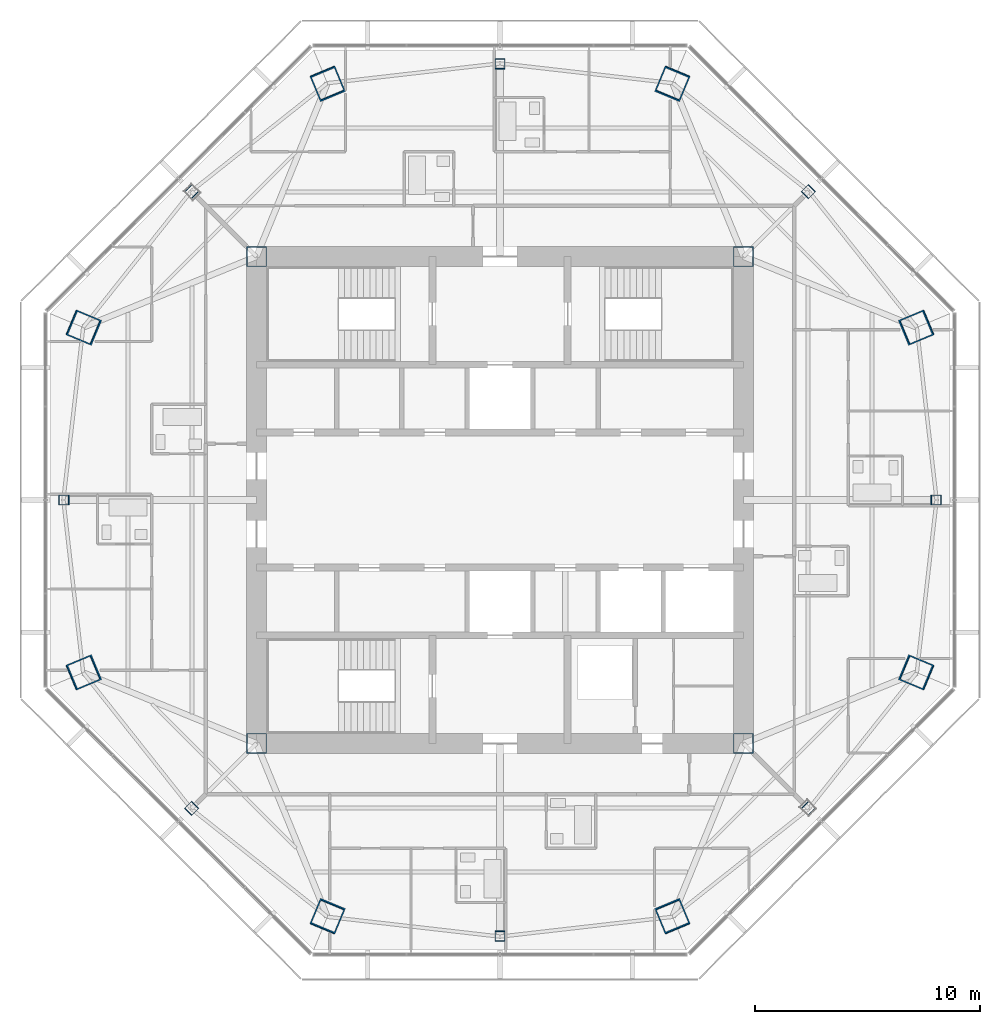
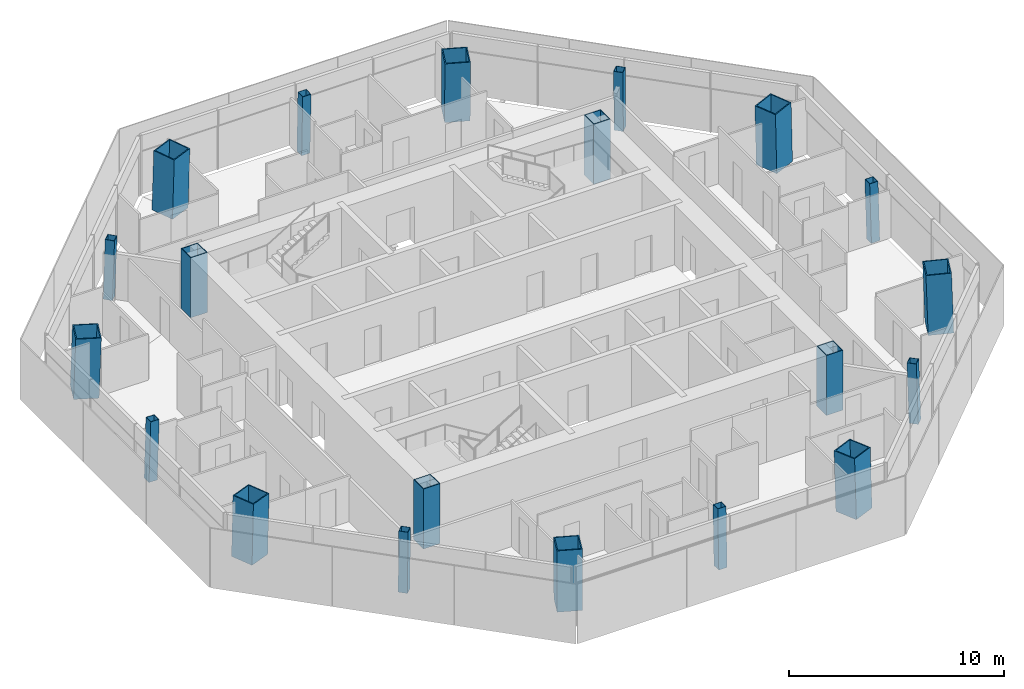
# One storey, part 1 of 15: 20 columns.
"""IFC4 building model written with IfcOpenShell, lengths in metres."""

import ifcopenshell
import ifcopenshell.guid

model = None  # the IFC model being written
_history = None  # IfcOwnerHistory: only IFC2X3 demands one
_inside = {}  # id of a spatial element -> (the spatial element, [elements in it])
_under = {}  # id of a project, library or spatial element -> (it, [spatial elements below it])
_declared = {}  # id of a project -> (the project, [libraries it declares])
_typed = {}  # id of a type object -> (the type object, [elements of that type])
_made_of = {}  # id of a material, layer set ... -> (it, [elements and type objects made of it])


def new_model(schema):
    """Start an empty IFC model of exactly this schema.

    Asked for "IFC4X3", IfcOpenShell would pick the latest addendum, in which some entities
    have other attributes; the version numbers below select the first issue.
    IFC2X3 requires an IfcOwnerHistory on every rooted entity: one is made here for all.
    """
    global model, _history
    if schema == "IFC4X3":
        model = ifcopenshell.file(schema_version=(4, 3, 0, 0))
    else:
        model = ifcopenshell.file(schema=schema)
    _inside.clear()
    _under.clear()
    _declared.clear()
    _typed.clear()
    _made_of.clear()
    _history = None
    if model.schema == "IFC2X3":
        org = make("IfcOrganization", Name="unknown")
        user = make(
            "IfcPersonAndOrganization",
            ThePerson=make("IfcPerson", FamilyName="unknown"),
            TheOrganization=org,
        )
        app = make(
            "IfcApplication",
            ApplicationDeveloper=org,
            Version="unknown",
            ApplicationFullName="unknown",
            ApplicationIdentifier="unknown",
        )
        _history = make(
            "IfcOwnerHistory",
            OwningUser=user,
            OwningApplication=app,
            ChangeAction="ADDED",
            CreationDate=0,
        )
    return model


def make(cls, **values):
    """One entity of the class cls with the attributes given. An attribute that is None is left unset."""
    return model.create_entity(
        cls, **{name: value for name, value in values.items() if value is not None}
    )


def rooted(cls, **values):
    """An entity with a GlobalId (a new one), such as an element, a storey or a relation."""
    return make(cls, GlobalId=ifcopenshell.guid.new(), OwnerHistory=_history, **values)


def si_unit(unit_type, name, prefix=None):
    """IfcSIUnit, for example si_unit("LENGTHUNIT", "METRE", prefix="MILLI")."""
    return make("IfcSIUnit", UnitType=unit_type, Prefix=prefix, Name=name)


def assignment(units):
    """IfcUnitAssignment: the units of a project."""
    return None if units is None else make("IfcUnitAssignment", Units=units)


def point(xyz):
    """IfcCartesianPoint."""
    return None if xyz is None else make("IfcCartesianPoint", Coordinates=xyz)


def direction(xyz):
    """IfcDirection."""
    return None if xyz is None else make("IfcDirection", DirectionRatios=xyz)


def frame(location, z_axis=None, x_axis=None):
    """IfcAxis2Placement3D, a coordinate frame: its origin and axes. An axis left out is left unset."""
    return make(
        "IfcAxis2Placement3D",
        Location=point(location),
        Axis=direction(z_axis),
        RefDirection=direction(x_axis),
    )


def frame_2d(location, x_axis=None):
    """IfcAxis2Placement2D, a coordinate frame in the plane: its origin and x axis."""
    return make(
        "IfcAxis2Placement2D", Location=point(location), RefDirection=direction(x_axis)
    )


def origin():
    """The frame at (0, 0, 0) with its axes left unset."""
    return frame((0.0, 0.0, 0.0))


def origin_2d():
    """The frame at (0, 0) in the plane with its x axis left unset."""
    return frame_2d((0.0, 0.0))


def place(relative_to, where):
    """IfcLocalPlacement: puts the frame where relative to a parent placement (None: the world)."""
    return make(
        "IfcLocalPlacement", PlacementRelTo=relative_to, RelativePlacement=where
    )


def context(
    kind, dimensions, precision=None, world=None, true_north=None, identifier=None
):
    """IfcGeometricRepresentationContext, for example the 3D "Model" context."""
    return make(
        "IfcGeometricRepresentationContext",
        ContextIdentifier=identifier,
        ContextType=kind,
        CoordinateSpaceDimension=dimensions,
        Precision=precision,
        WorldCoordinateSystem=world,
        TrueNorth=true_north,
    )


def subcontext(parent, identifier, kind, view, scale=None):
    """IfcGeometricRepresentationSubContext, for example "Body" below "Model"."""
    return make(
        "IfcGeometricRepresentationSubContext",
        ContextIdentifier=identifier,
        ContextType=kind,
        ParentContext=parent,
        TargetScale=scale,
        TargetView=view,
    )


def project(units=None, contexts=None):
    """IfcProject with its units and contexts."""
    return rooted(
        "IfcProject",
        Name="project",
        RepresentationContexts=contexts,
        UnitsInContext=assignment(units),
    )


def spatial(cls, under=None, at=None, **own):
    """A site, building, storey or space (cls), placed at a placement, below another one or the project."""
    s = rooted(cls, ObjectPlacement=at, **own)
    if under is not None:
        _under.setdefault(under.id(), (under, []))[1].append(s)
    return s


def profile(cls, at=None, kind="AREA", **sizes):
    """A parametric profile (cls). Its sizes go by their IFC names, for example OverallWidth=200.0."""
    return make(cls, ProfileType=kind, Position=at, **sizes)


def hollow_rectangle(**sizes):
    """IfcRectangleHollowProfileDef."""
    return profile("IfcRectangleHollowProfileDef", **sizes)


def extrude(swept, where, along, depth):
    """IfcExtrudedAreaSolid: the profile swept, set in the frame where, extruded along a direction by depth."""
    return make(
        "IfcExtrudedAreaSolid",
        SweptArea=swept,
        Position=where,
        ExtrudedDirection=direction(along),
        Depth=depth,
    )


def shape(context_of_items, identifier, shape_type, items):
    """IfcShapeRepresentation: the items that make up one representation, for example the "Body"."""
    return make(
        "IfcShapeRepresentation",
        ContextOfItems=context_of_items,
        RepresentationIdentifier=identifier,
        RepresentationType=shape_type,
        Items=items,
    )


def material(Name=None, Category=None):
    """IfcMaterial."""
    return make("IfcMaterial", Name=Name, Category=Category)


def material_profile(
    of_material, cross_section, Name=None, Category=None, Priority=None
):
    """IfcMaterialProfile: a cross section and its material."""
    return make(
        "IfcMaterialProfile",
        Name=Name,
        Material=of_material,
        Profile=cross_section,
        Priority=Priority,
        Category=Category,
    )


def profile_set(profiles, Name=None, composite=None):
    """IfcMaterialProfileSet."""
    return make(
        "IfcMaterialProfileSet",
        Name=Name,
        MaterialProfiles=profiles,
        CompositeProfile=composite,
    )


def made_of(thing, what):
    """Note that an element or type object is made of a material, layer set ...; save() writes the relation."""
    if what is not None:
        _made_of.setdefault(what.id(), (what, []))[1].append(thing)
    return thing


def type_object(cls, material=None, **own):
    """A type object (cls), such as IfcWallType, which elements share."""
    return made_of(rooted(cls, **own), material)


def element(
    cls,
    number,
    at=None,
    inside=None,
    cuts=None,
    type_object=None,
    material=None,
    context=None,
    identifier="Body",
    shape_type=None,
    held_by="IfcProductDefinitionShape",
    body=None,
    shapes=None,
    **own,
):
    """One element of the class cls, such as IfcWall. Its Tag is "e" and its number.

    at: its placement. inside: the storey or other place that contains it. cuts: it is an
    opening in that element (IfcRelVoidsElement). A single representation is given by context,
    identifier, shape_type and body (its items); several are given by shapes. held_by: the class
    of the entity that holds the representations. save() writes the other relations.
    """
    e = rooted(cls, Tag="e%d" % number, ObjectPlacement=at, **own)
    if body is not None:
        shapes = [shape(context, identifier, shape_type, body)]
    if shapes is not None:
        e.Representation = make(held_by, Representations=shapes)
    if inside is not None:
        _inside.setdefault(inside.id(), (inside, []))[1].append(e)
    if cuts is not None:
        rooted(
            "IfcRelVoidsElement", RelatingBuildingElement=cuts, RelatedOpeningElement=e
        )
    if type_object is not None:
        _typed.setdefault(type_object.id(), (type_object, []))[1].append(e)
    return made_of(e, material)


def aggregate(whole, parts):
    """IfcRelAggregates: a whole, such as a stair, and the parts it consists of."""
    return rooted("IfcRelAggregates", RelatingObject=whole, RelatedObjects=parts)


def save(model, path):
    """Write the relations noted so far, then the file.

    IfcRelAggregates (storeys below a building ...), IfcRelContainedInSpatialStructure (elements
    in a storey), IfcRelDefinesByType, IfcRelAssociatesMaterial and IfcRelDeclares: one each for
    every whole, place, type object, material and project.
    """
    for whole, parts in _under.values():
        aggregate(whole, parts)
    for where, things in _inside.values():
        rooted(
            "IfcRelContainedInSpatialStructure",
            RelatedElements=things,
            RelatingStructure=where,
        )
    for kind, things in _typed.values():
        rooted("IfcRelDefinesByType", RelatedObjects=things, RelatingType=kind)
    for what, things in _made_of.values():
        rooted("IfcRelAssociatesMaterial", RelatedObjects=things, RelatingMaterial=what)
    for by, libraries in _declared.values():
        rooted("IfcRelDeclares", RelatingContext=by, RelatedDefinitions=libraries)
    model.write(path)


model = new_model("IFC4")

# Units and contexts
model_context = context("Model", 3, precision=1e-05, world=origin(), true_north=direction((0.0, 1.0)))
body_context = subcontext(model_context, "Body", "Model", "MODEL_VIEW")
ifc_project = project(units=[si_unit("LENGTHUNIT", "METRE"), si_unit("AREAUNIT", "SQUARE_METRE"), si_unit("VOLUMEUNIT", "CUBIC_METRE"), si_unit("PLANEANGLEUNIT", "RADIAN"), si_unit("MASSUNIT", "GRAM", prefix="KILO")], contexts=[model_context])

# Site, building, storey
site_placement = place(None, origin())
site = spatial("IfcSite", under=ifc_project, at=site_placement, CompositionType="ELEMENT")
building_placement = place(site_placement, origin())
building = spatial("IfcBuilding", under=site, at=building_placement, Name="Mashrafa Tower", CompositionType="ELEMENT")
storey_placement = place(building_placement, frame((0.0, 0.0, 277.60009765625)))
storey = spatial("IfcBuildingStorey", under=building, at=storey_placement, Name="L67", CompositionType="ELEMENT", Elevation=277.60009765625)

# Columns
ifc_material_1 = material(Name="Steel ASTM A572 Gr 50", Category="steel")
ifc_material_profile_1 = material_profile(ifc_material_1, hollow_rectangle(XDim=0.89990234375, YDim=0.89990234375, WallThickness=0.0400390625, at=origin_2d()), Name="BOX900X900X40")
ifc_profile_set_1 = profile_set([ifc_material_profile_1], Name="Steel ASTM A572 Gr 50")
column_type_1 = type_object("IfcColumnType", Name="Core corner column BOX900X900X40", PredefinedType="COLUMN", material=ifc_profile_set_1)
for number, where, z_axis, x_axis, name in (
    (1, (10.800048828125, 10.800048828125, 0.0), (0.0, 0.0, 1.0), (1.0, 0.0, 0.0), "Core corner column CC-NE L67"),
    (2, (-10.800048828125, 10.800048828125, 0.0), (0.0, 0.0, 1.0), (1.0, 0.0, 0.0), "Core corner column CC-NW L67"),
    (3, (-10.800048828125, -10.800048828125, 0.0), (0.0, 0.0, 1.0), (1.0, 0.0, 0.0), "Core corner column CC-SW L67"),
    (4, (10.800048828125, -10.800048828125, 0.0), (0.0, 0.0, 1.0), (1.0, 0.0, 0.0), "Core corner column CC-SE L67"),
):
    element("IfcColumn", number, at=place(storey_placement, frame(where, z_axis=z_axis, x_axis=x_axis)), inside=storey, type_object=column_type_1, Name=name, PredefinedType="COLUMN", context=body_context, shape_type="SweptSolid", body=[
        extrude(hollow_rectangle(XDim=0.89990234375, YDim=0.89990234375, WallThickness=0.0400390625, at=origin_2d()), origin(), (0.0, 0.0, 1.0), 3.39990234375),
    ])
ifc_material_2 = material(Name="Steel ASTM A572 Gr 50", Category="steel")
ifc_material_profile_2 = material_profile(ifc_material_2, hollow_rectangle(XDim=1.199951171875, YDim=1.199951171875, WallThickness=0.054931640625, at=origin_2d()), Name="BOX1200X1200X55")
ifc_profile_set_2 = profile_set([ifc_material_profile_2], Name="Steel ASTM A572 Gr 50")
column_type_2 = type_object("IfcColumnType", Name="Mega column CFST BOX1200X1200X55", PredefinedType="COLUMN", material=ifc_profile_set_2)
for number, where, z_axis, x_axis, name in (
    (5, (18.483642578125, 7.65625, 0.0), (-0.028279126691, -0.011771007049, 0.999530757099), (0.3842825994, -0.923215513192, 0.0), "Mega column MC1 L67"),
    (6, (7.65625, 18.483642578125, 0.0), (-0.011771007049, -0.028279126691, 0.999530757099), (0.923215513192, -0.3842825994, 0.0), "Mega column MC2 L67"),
    (7, (-7.65625, 18.483642578125, 0.0), (0.011771007049, -0.028279126691, 0.999530757099), (0.923215513192, 0.3842825994, 0.0), "Mega column MC3 L67"),
    (8, (-18.483642578125, 7.65625, 0.0), (0.028279126691, -0.011771007049, 0.999530757099), (0.3842825994, 0.923215513192, 0.0), "Mega column MC4 L67"),
    (9, (-18.483642578125, -7.65625, 0.0), (0.028279126691, 0.011771007049, 0.999530757099), (-0.3842825994, 0.923215513192, 0.0), "Mega column MC5 L67"),
    (10, (-7.65625, -18.483642578125, 0.0), (0.011771007049, 0.028279126691, 0.999530757099), (-0.923215513192, 0.3842825994, 0.0), "Mega column MC6 L67"),
    (11, (7.65625, -18.483642578125, 0.0), (-0.011771007049, 0.028279126691, 0.999530757099), (-0.923215513192, -0.3842825994, 0.0), "Mega column MC7 L67"),
    (12, (18.483642578125, -7.65625, 0.0), (-0.028279126691, 0.011771007049, 0.999530757099), (-0.3842825994, -0.923215513192, 0.0), "Mega column MC8 L67"),
):
    element("IfcColumn", number, at=place(storey_placement, frame(where, z_axis=z_axis, x_axis=x_axis)), inside=storey, type_object=column_type_2, Name=name, PredefinedType="COLUMN", context=body_context, shape_type="SweptSolid", body=[
        extrude(hollow_rectangle(XDim=1.199951171875, YDim=1.199951171875, WallThickness=0.054931640625, at=origin_2d()), origin(), (0.0, 0.0, 1.0), 3.401611328125),
    ])
ifc_material_3 = material(Name="Steel ASTM A572 Gr 50", Category="steel")
ifc_material_profile_3 = material_profile(ifc_material_3, hollow_rectangle(XDim=0.449951171875, YDim=0.449951171875, WallThickness=0.02001953125, at=origin_2d()), Name="BOX450X450X20")
ifc_profile_set_3 = profile_set([ifc_material_profile_3], Name="Steel ASTM A572 Gr 50")
column_type_3 = type_object("IfcColumnType", Name="Secondary column BOX450X450X20", PredefinedType="COLUMN", material=ifc_profile_set_3)
for number, where, z_axis, x_axis, name in (
    (13, (19.36181640625, 0.0, 0.0), (-0.028281086024, 0.0, 0.999600010091), (0.0, -1.0, 0.0), "Secondary column SC1 L67"),
    (14, (13.69091796875, 13.69091796875, 0.0), (-0.020026431307, -0.020026431307, 0.999598861593), (0.707106781187, -0.707106781187, 0.0), "Secondary column SC2 L67"),
    (15, (0.0, 19.36181640625, 0.0), (0.0, -0.028281086024, 0.999600010091), (1.0, 0.0, 0.0), "Secondary column SC3 L67"),
    (16, (-13.69091796875, 13.69091796875, 0.0), (0.020026431307, -0.020026431307, 0.999598861593), (0.707106781187, 0.707106781187, 0.0), "Secondary column SC4 L67"),
    (17, (-19.36181640625, 0.0, 0.0), (0.028281086024, 0.0, 0.999600010091), (0.0, 1.0, 0.0), "Secondary column SC5 L67"),
    (18, (-13.69091796875, -13.69091796875, 0.0), (0.020026431307, 0.020026431307, 0.999598861593), (-0.707106781187, 0.707106781187, 0.0), "Secondary column SC6 L67"),
    (19, (0.0, -19.36181640625, 0.0), (0.0, 0.028281086024, 0.999600010091), (-1.0, 0.0, 0.0), "Secondary column SC7 L67"),
    (20, (13.69091796875, -13.69091796875, 0.0), (-0.020026431307, 0.020026431307, 0.999598861593), (-0.707106781187, -0.707106781187, 0.0), "Secondary column SC8 L67"),
):
    element("IfcColumn", number, at=place(storey_placement, frame(where, z_axis=z_axis, x_axis=x_axis)), inside=storey, type_object=column_type_3, Name=name, PredefinedType="COLUMN", context=body_context, shape_type="SweptSolid", body=[
        extrude(hollow_rectangle(XDim=0.449951171875, YDim=0.449951171875, WallThickness=0.02001953125, at=origin_2d()), origin(), (0.0, 0.0, 1.0), 3.4013671875),
    ])

save(model, "model.ifc")
